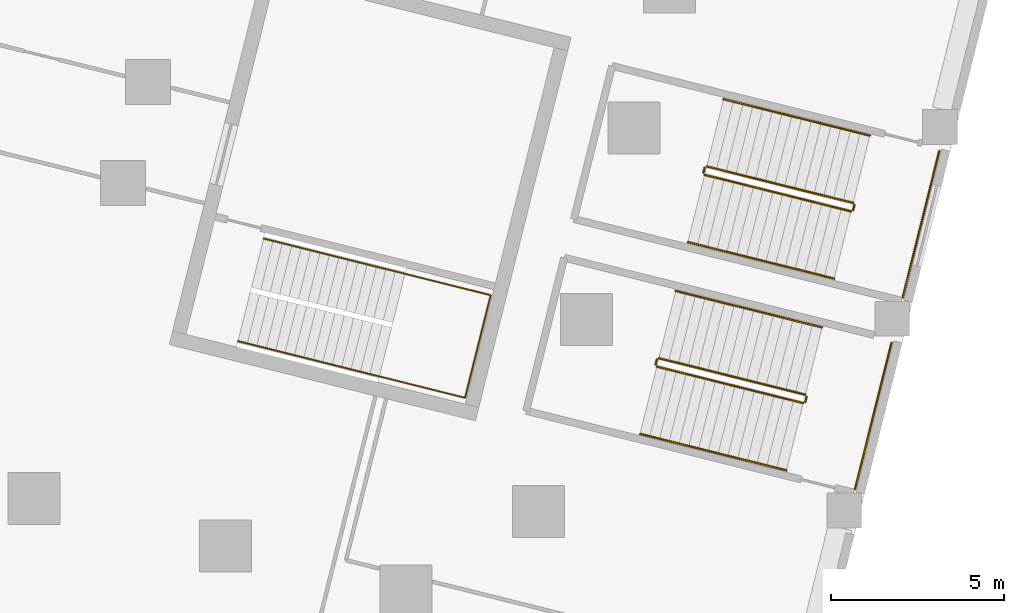
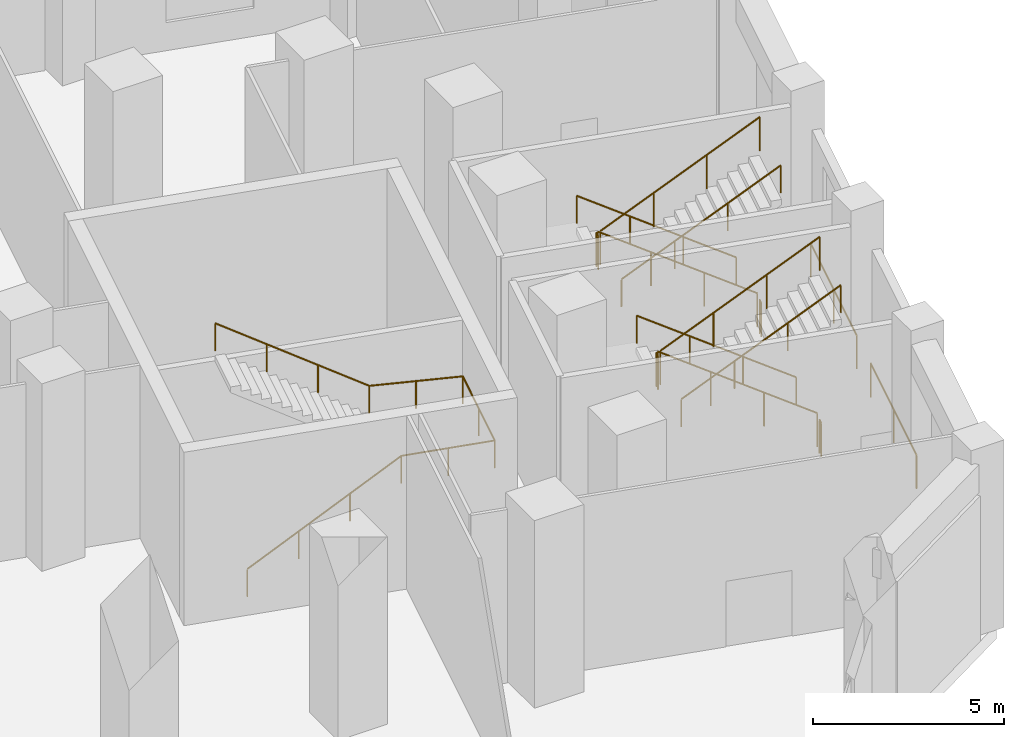
# One storey, part 13 of 15: 15 railings.
"""IFC4 building model written with IfcOpenShell, lengths in metres."""

from ifc_helpers import new_model, si_unit, direction, frame, origin, origin_2d, place, context, subcontext, project, spatial, circle, extrude, material, type_object, element, save


model = new_model("IFC4")

# Units and contexts
model_context = context("Model", 3, precision=1e-05, world=origin(), true_north=direction((0.0, 1.0)))
body_context = subcontext(model_context, "Body", "Model", "MODEL_VIEW")
ifc_project = project(units=[si_unit("LENGTHUNIT", "METRE"), si_unit("AREAUNIT", "SQUARE_METRE"), si_unit("VOLUMEUNIT", "CUBIC_METRE"), si_unit("PLANEANGLEUNIT", "RADIAN"), si_unit("MASSUNIT", "GRAM", prefix="KILO")], contexts=[model_context])

# Site, building, storey
site_placement = place(None, origin())
site = spatial("IfcSite", under=ifc_project, at=site_placement, CompositionType="ELEMENT")
building_placement = place(site_placement, origin())
building = spatial("IfcBuilding", under=site, at=building_placement, Name="Meshkara Civic Tower", CompositionType="ELEMENT")
storey_placement = place(building_placement, frame((0.0, 0.0, 12.60009765625)))
storey = spatial("IfcBuildingStorey", under=building, at=storey_placement, Name="L02", CompositionType="ELEMENT", Elevation=12.60009765625)

# Railings
ifc_material_1 = material(Name="Steel guard", Category="steel")
railing_type_1 = type_object("IfcRailingType", Name="Podium stair guard 1100", PredefinedType="GUARDRAIL", material=ifc_material_1)
railing_1_placement = place(storey_placement, frame((94.407470703125, -14.5361328125, 0.1875)))
element("IfcRailing", 1, at=railing_1_placement, inside=storey, type_object=railing_type_1, Name="L02 PS3 stair guard 1", PredefinedType="GUARDRAIL", context=body_context, shape_type="SweptSolid", body=[
    extrude(circle(Radius=0.02392578125, at=origin_2d()), frame((0.0, 0.0, 1.076171875), z_axis=(-0.81481018265, 0.203184098647, 0.542955420183), x_axis=(-0.241954523554, -0.970287590631, 0.0)), (0.0, 0.0, 1.0), 5.179931640625),
    extrude(circle(Radius=0.02099609375, at=origin_2d()), origin(), (0.0, 0.0, 1.0), 1.052001953125),
    extrude(circle(Radius=0.02099609375, at=origin_2d()), frame((-1.406982421875, 0.350830078125, 0.9375)), (0.0, 0.0, 1.0), 1.052001953125),
    extrude(circle(Radius=0.02099609375, at=origin_2d()), frame((-2.813720703125, 0.70166015625, 1.875)), (0.0, 0.0, 1.0), 1.052001953125),
    extrude(circle(Radius=0.02099609375, at=origin_2d()), frame((-4.220703125, 1.052490234375, 2.8125)), (0.0, 0.0, 1.0), 1.052001953125),
])
railing_2_placement = place(storey_placement, frame((90.1259765625, -13.52001953125, 3.0)))
element("IfcRailing", 2, at=railing_2_placement, inside=storey, type_object=railing_type_1, Name="L02 PS3 stair guard 2", PredefinedType="GUARDRAIL", context=body_context, shape_type="SweptSolid", body=[
    extrude(circle(Radius=0.02392578125, at=origin_2d()), frame((0.0, 0.0, 1.076171875), z_axis=(-0.240622415836, -0.970618799013, 0.0), x_axis=(0.970618799013, -0.240622415836, 0.0)), (0.0, 0.0, 1.0), 0.150146484375),
    extrude(circle(Radius=0.02099609375, at=origin_2d()), origin(), (0.0, 0.0, 1.0), 1.052001953125),
    extrude(circle(Radius=0.02099609375, at=origin_2d()), frame((-0.0361328125, -0.145751953125, 0.0)), (0.0, 0.0, 1.0), 1.052001953125),
])
railing_3_placement = place(storey_placement, frame((90.126220703125, -13.726318359375, 3.1875)))
element("IfcRailing", 3, at=railing_3_placement, inside=storey, type_object=railing_type_1, Name="L02 PS3 stair guard 3", PredefinedType="GUARDRAIL", context=body_context, shape_type="SweptSolid", body=[
    extrude(circle(Radius=0.02392578125, at=origin_2d()), frame((0.0, 0.0, 1.076171875), z_axis=(0.81481798479, -0.203138912219, 0.542960619203), x_axis=(0.241901683224, 0.970300765564, 0.0)), (0.0, 0.0, 1.0), 5.179931640625),
    extrude(circle(Radius=0.02099609375, at=origin_2d()), origin(), (0.0, 0.0, 1.0), 1.052001953125),
    extrude(circle(Radius=0.02099609375, at=origin_2d()), frame((1.406982421875, -0.350830078125, 0.9375)), (0.0, 0.0, 1.0), 1.052001953125),
    extrude(circle(Radius=0.02099609375, at=origin_2d()), frame((2.813720703125, -0.701416015625, 1.875)), (0.0, 0.0, 1.0), 1.052001953125),
    extrude(circle(Radius=0.02099609375, at=origin_2d()), frame((4.220703125, -1.05224609375, 2.8125)), (0.0, 0.0, 1.0), 1.052001953125),
])
railing_4_placement = place(storey_placement, frame((94.44384765625, -14.5966796875, 0.0)))
element("IfcRailing", 4, at=railing_4_placement, inside=storey, type_object=railing_type_1, Name="L02 PS3 stair guard 4", PredefinedType="GUARDRAIL", context=body_context, shape_type="SweptSolid", body=[
    extrude(circle(Radius=0.02392578125, at=origin_2d()), frame((0.0, 0.0, 1.076171875), z_axis=(-0.242535625036, -0.970142500145, 0.0), x_axis=(0.970142500145, -0.242535625036, 0.0)), (0.0, 0.0, 1.0), 0.14990234375),
    extrude(circle(Radius=0.02099609375, at=origin_2d()), origin(), (0.0, 0.0, 1.0), 1.052001953125),
    extrude(circle(Radius=0.02099609375, at=origin_2d()), frame((-0.036376953125, -0.1455078125, 0.0)), (0.0, 0.0, 1.0), 1.052001953125),
])
railing_5_placement = place(storey_placement, frame((96.892578125, -13.04296875, 0.0)))
element("IfcRailing", 5, at=railing_5_placement, inside=storey, type_object=railing_type_1, Name="L02 PS3 stair guard 5", PredefinedType="GUARDRAIL", context=body_context, shape_type="SweptSolid", body=[
    extrude(circle(Radius=0.02392578125, at=origin_2d()), frame((0.0, 0.0, 1.076171875), z_axis=(-0.241954523554, -0.970287590631, 0.0), x_axis=(0.970287590631, -0.241954523554, 0.0)), (0.0, 0.0, 1.0), 4.349853515625),
    extrude(circle(Radius=0.02099609375, at=origin_2d()), origin(), (0.0, 0.0, 1.0), 1.052001953125),
    extrude(circle(Radius=0.02099609375, at=origin_2d()), frame((-0.5263671875, -2.1103515625, 0.0)), (0.0, 0.0, 1.0), 1.052001953125),
    extrude(circle(Radius=0.02099609375, at=origin_2d()), frame((-1.052490234375, -4.220703125, 0.0)), (0.0, 0.0, 1.0), 1.052001953125),
])
railing_6_placement = place(storey_placement, frame((95.786376953125, -9.005126953125, 0.1875)))
element("IfcRailing", 6, at=railing_6_placement, inside=storey, type_object=railing_type_1, Name="L02 PS4 stair guard 1", PredefinedType="GUARDRAIL", context=body_context, shape_type="SweptSolid", body=[
    extrude(circle(Radius=0.02392578125, at=origin_2d()), frame((0.0, 0.0, 1.076171875), z_axis=(-0.81481018265, 0.203184098647, 0.542955420183), x_axis=(-0.241954523554, -0.970287590631, 0.0)), (0.0, 0.0, 1.0), 5.179931640625),
    extrude(circle(Radius=0.02099609375, at=origin_2d()), origin(), (0.0, 0.0, 1.0), 1.052001953125),
    extrude(circle(Radius=0.02099609375, at=origin_2d()), frame((-1.406982421875, 0.350830078125, 0.9375)), (0.0, 0.0, 1.0), 1.052001953125),
    extrude(circle(Radius=0.02099609375, at=origin_2d()), frame((-2.813720703125, 0.70166015625, 1.875)), (0.0, 0.0, 1.0), 1.052001953125),
    extrude(circle(Radius=0.02099609375, at=origin_2d()), frame((-4.220703125, 1.052490234375, 2.8125)), (0.0, 0.0, 1.0), 1.052001953125),
])
railing_7_placement = place(storey_placement, frame((91.505126953125, -7.989013671875, 3.0)))
element("IfcRailing", 7, at=railing_7_placement, inside=storey, type_object=railing_type_1, Name="L02 PS4 stair guard 2", PredefinedType="GUARDRAIL", context=body_context, shape_type="SweptSolid", body=[
    extrude(circle(Radius=0.02392578125, at=origin_2d()), frame((0.0, 0.0, 1.076171875), z_axis=(-0.242153208708, -0.970238024153, 0.0), x_axis=(0.970238024153, -0.242153208708, 0.0)), (0.0, 0.0, 1.0), 0.150146484375),
    extrude(circle(Radius=0.02099609375, at=origin_2d()), origin(), (0.0, 0.0, 1.0), 1.052001953125),
    extrude(circle(Radius=0.02099609375, at=origin_2d()), frame((-0.036376953125, -0.145751953125, 0.0)), (0.0, 0.0, 1.0), 1.052001953125),
])
railing_8_placement = place(storey_placement, frame((91.505126953125, -8.1953125, 3.1875)))
element("IfcRailing", 8, at=railing_8_placement, inside=storey, type_object=railing_type_1, Name="L02 PS4 stair guard 3", PredefinedType="GUARDRAIL", context=body_context, shape_type="SweptSolid", body=[
    extrude(circle(Radius=0.02392578125, at=origin_2d()), frame((0.0, 0.0, 1.076171875), z_axis=(0.814833823606, -0.203131111096, 0.542939767942), x_axis=(0.241888510246, 0.970304049569, 0.0)), (0.0, 0.0, 1.0), 5.18017578125),
    extrude(circle(Radius=0.02099609375, at=origin_2d()), origin(), (0.0, 0.0, 1.0), 1.052001953125),
    extrude(circle(Radius=0.02099609375, at=origin_2d()), frame((1.406982421875, -0.350830078125, 0.9375)), (0.0, 0.0, 1.0), 1.052001953125),
    extrude(circle(Radius=0.02099609375, at=origin_2d()), frame((2.81396484375, -0.701416015625, 1.875)), (0.0, 0.0, 1.0), 1.052001953125),
    extrude(circle(Radius=0.02099609375, at=origin_2d()), frame((4.220947265625, -1.05224609375, 2.8125)), (0.0, 0.0, 1.0), 1.052001953125),
])
railing_9_placement = place(storey_placement, frame((95.82275390625, -9.065673828125, 0.0)))
element("IfcRailing", 9, at=railing_9_placement, inside=storey, type_object=railing_type_1, Name="L02 PS4 stair guard 4", PredefinedType="GUARDRAIL", context=body_context, shape_type="SweptSolid", body=[
    extrude(circle(Radius=0.02392578125, at=origin_2d()), frame((0.0, 0.0, 1.076171875), z_axis=(-0.241002713716, -0.970524441723, 0.0), x_axis=(0.970524441723, -0.241002713716, 0.0)), (0.0, 0.0, 1.0), 0.14990234375),
    extrude(circle(Radius=0.02099609375, at=origin_2d()), origin(), (0.0, 0.0, 1.0), 1.052001953125),
    extrude(circle(Radius=0.02099609375, at=origin_2d()), frame((-0.0361328125, -0.1455078125, 0.0)), (0.0, 0.0, 1.0), 1.052001953125),
])
railing_10_placement = place(storey_placement, frame((98.271484375, -7.511962890625, 0.0)))
element("IfcRailing", 10, at=railing_10_placement, inside=storey, type_object=railing_type_1, Name="L02 PS4 stair guard 5", PredefinedType="GUARDRAIL", context=body_context, shape_type="SweptSolid", body=[
    extrude(circle(Radius=0.02392578125, at=origin_2d()), frame((0.0, 0.0, 1.076171875), z_axis=(-0.241901683224, -0.970300765564, 0.0), x_axis=(0.970300765564, -0.241901683224, 0.0)), (0.0, 0.0, 1.0), 4.349853515625),
    extrude(circle(Radius=0.02099609375, at=origin_2d()), origin(), (0.0, 0.0, 1.0), 1.052001953125),
    extrude(circle(Radius=0.02099609375, at=origin_2d()), frame((-0.526123046875, -2.1103515625, 0.0)), (0.0, 0.0, 1.0), 1.052001953125),
    extrude(circle(Radius=0.02099609375, at=origin_2d()), frame((-1.05224609375, -4.220703125, 0.0)), (0.0, 0.0, 1.0), 1.052001953125),
])
ifc_material_2 = material(Name="Steel handrail", Category="steel")
railing_type_2 = type_object("IfcRailingType", Name="Podium stair handrail 900", PredefinedType="HANDRAIL", material=ifc_material_2)
railing_11_placement = place(storey_placement, frame((94.891357421875, -12.595458984375, 0.1875)))
element("IfcRailing", 11, at=railing_11_placement, inside=storey, type_object=railing_type_2, Name="L02 PS3 stair handrail 1", PredefinedType="HANDRAIL", context=body_context, shape_type="SweptSolid", body=[
    extrude(circle(Radius=0.02392578125, at=origin_2d()), frame((0.0, 0.0, 0.8759765625), z_axis=(-0.814833823606, 0.203131111096, 0.542939767942), x_axis=(-0.241888510246, -0.970304049569, 0.0)), (0.0, 0.0, 1.0), 5.18017578125),
    extrude(circle(Radius=0.02099609375, at=origin_2d()), origin(), (0.0, 0.0, 1.0), 0.851806640625),
    extrude(circle(Radius=0.02099609375, at=origin_2d()), frame((-1.406982421875, 0.350830078125, 0.9375)), (0.0, 0.0, 1.0), 0.851806640625),
    extrude(circle(Radius=0.02099609375, at=origin_2d()), frame((-2.81396484375, 0.701416015625, 1.875)), (0.0, 0.0, 1.0), 0.851806640625),
    extrude(circle(Radius=0.02099609375, at=origin_2d()), frame((-4.220947265625, 1.05224609375, 2.8125)), (0.0, 0.0, 1.0), 0.851806640625),
])
railing_12_placement = place(storey_placement, frame((89.642333984375, -15.6669921875, 3.1875)))
element("IfcRailing", 12, at=railing_12_placement, inside=storey, type_object=railing_type_2, Name="L02 PS3 stair handrail 2", PredefinedType="HANDRAIL", context=body_context, shape_type="SweptSolid", body=[
    extrude(circle(Radius=0.02392578125, at=origin_2d()), frame((0.0, 0.0, 0.8759765625), z_axis=(0.81481798479, -0.203138912219, 0.542960619203), x_axis=(0.241901683224, 0.970300765564, 0.0)), (0.0, 0.0, 1.0), 5.179931640625),
    extrude(circle(Radius=0.02099609375, at=origin_2d()), origin(), (0.0, 0.0, 1.0), 0.851806640625),
    extrude(circle(Radius=0.02099609375, at=origin_2d()), frame((1.406982421875, -0.350830078125, 0.9375)), (0.0, 0.0, 1.0), 0.851806640625),
    extrude(circle(Radius=0.02099609375, at=origin_2d()), frame((2.813720703125, -0.701416015625, 1.875)), (0.0, 0.0, 1.0), 0.851806640625),
    extrude(circle(Radius=0.02099609375, at=origin_2d()), frame((4.220703125, -1.05224609375, 2.8125)), (0.0, 0.0, 1.0), 0.851806640625),
])
railing_13_placement = place(storey_placement, frame((96.270263671875, -7.064453125, 0.1875)))
element("IfcRailing", 13, at=railing_13_placement, inside=storey, type_object=railing_type_2, Name="L02 PS4 stair handrail 1", PredefinedType="HANDRAIL", context=body_context, shape_type="SweptSolid", body=[
    extrude(circle(Radius=0.02392578125, at=origin_2d()), frame((0.0, 0.0, 0.8759765625), z_axis=(-0.81481798479, 0.203138912219, 0.542960619203), x_axis=(-0.241901683224, -0.970300765564, 0.0)), (0.0, 0.0, 1.0), 5.179931640625),
    extrude(circle(Radius=0.02099609375, at=origin_2d()), origin(), (0.0, 0.0, 1.0), 0.851806640625),
    extrude(circle(Radius=0.02099609375, at=origin_2d()), frame((-1.406982421875, 0.350830078125, 0.9375)), (0.0, 0.0, 1.0), 0.851806640625),
    extrude(circle(Radius=0.02099609375, at=origin_2d()), frame((-2.813720703125, 0.701416015625, 1.875)), (0.0, 0.0, 1.0), 0.851806640625),
    extrude(circle(Radius=0.02099609375, at=origin_2d()), frame((-4.220703125, 1.05224609375, 2.8125)), (0.0, 0.0, 1.0), 0.851806640625),
])
railing_14_placement = place(storey_placement, frame((91.021240234375, -10.135986328125, 3.1875)))
element("IfcRailing", 14, at=railing_14_placement, inside=storey, type_object=railing_type_2, Name="L02 PS4 stair handrail 2", PredefinedType="HANDRAIL", context=body_context, shape_type="SweptSolid", body=[
    extrude(circle(Radius=0.02392578125, at=origin_2d()), frame((0.0, 0.0, 0.8759765625), z_axis=(0.814833823606, -0.203131111096, 0.542939767942), x_axis=(0.241888510246, 0.970304049569, 0.0)), (0.0, 0.0, 1.0), 5.18017578125),
    extrude(circle(Radius=0.02099609375, at=origin_2d()), origin(), (0.0, 0.0, 1.0), 0.851806640625),
    extrude(circle(Radius=0.02099609375, at=origin_2d()), frame((1.406982421875, -0.350830078125, 0.9375)), (0.0, 0.0, 1.0), 0.851806640625),
    extrude(circle(Radius=0.02099609375, at=origin_2d()), frame((2.81396484375, -0.701416015625, 1.875)), (0.0, 0.0, 1.0), 0.851806640625),
    extrude(circle(Radius=0.02099609375, at=origin_2d()), frame((4.220947265625, -1.05224609375, 2.8125)), (0.0, 0.0, 1.0), 0.851806640625),
])
ifc_material_3 = material(Name="Steel handrail", Category="steel")
railing_type_3 = type_object("IfcRailingType", Name="Stair handrail 900", PredefinedType="HANDRAIL", material=ifc_material_3)
railing_15_placement = place(storey_placement, frame((78.045166015625, -12.99169921875, 0.1875)))
element("IfcRailing", 15, at=railing_15_placement, inside=storey, type_object=railing_type_3, Name="L02 ESB1 stair handrail 1", PredefinedType="HANDRAIL", context=body_context, shape_type="SweptSolid", body=[
    extrude(circle(Radius=0.02392578125, at=origin_2d()), frame((0.0, 0.0, 0.8759765625), z_axis=(0.806205462459, -0.201116675394, 0.556403482358), x_axis=(0.242043219053, 0.970265468885, 0.0)), (0.0, 0.0, 1.0), 5.0546875),
    extrude(circle(Radius=0.02392578125, at=origin_2d()), frame((4.0751953125, -1.0166015625, 3.6884765625), z_axis=(0.970243788696, -0.242130110678, 0.0), x_axis=(0.242130110678, 0.970243788696, 0.0)), (0.0, 0.0, 1.0), 2.550048828125),
    extrude(circle(Radius=0.02392578125, at=origin_2d()), frame((6.54931640625, -1.634033203125, 3.6884765625), z_axis=(0.242064726708, 0.970260103315, 0.0), x_axis=(-0.970260103315, 0.242064726708, 0.0)), (0.0, 0.0, 1.0), 3.050048828125),
    extrude(circle(Radius=0.02392578125, at=origin_2d()), frame((7.28759765625, 1.3251953125, 3.6884765625), z_axis=(-0.967631527664, 0.241478205394, 0.073331459764), x_axis=(-0.242130110678, -0.970243788696, 0.0)), (0.0, 0.0, 1.0), 2.556884765625),
    extrude(circle(Radius=0.02392578125, at=origin_2d()), frame((4.8134765625, 1.942626953125, 3.8759765625), z_axis=(-0.806205462459, 0.201116675394, 0.556403482358), x_axis=(-0.242043219053, -0.970265468885, 0.0)), (0.0, 0.0, 1.0), 5.0546875),
    extrude(circle(Radius=0.02099609375, at=origin_2d()), origin(), (0.0, 0.0, 1.0), 0.851806640625),
    extrude(circle(Radius=0.02099609375, at=origin_2d()), frame((1.3583984375, -0.3388671875, 0.9375)), (0.0, 0.0, 1.0), 0.851806640625),
    extrude(circle(Radius=0.02099609375, at=origin_2d()), frame((2.716796875, -0.677734375, 1.875)), (0.0, 0.0, 1.0), 0.851806640625),
    extrude(circle(Radius=0.02099609375, at=origin_2d()), frame((4.0751953125, -1.0166015625, 2.8125)), (0.0, 0.0, 1.0), 0.851806640625),
    extrude(circle(Radius=0.02099609375, at=origin_2d()), frame((5.312255859375, -1.3251953125, 2.8125)), (0.0, 0.0, 1.0), 0.851806640625),
    extrude(circle(Radius=0.02099609375, at=origin_2d()), frame((6.54931640625, -1.634033203125, 2.8125)), (0.0, 0.0, 1.0), 0.851806640625),
    extrude(circle(Radius=0.02099609375, at=origin_2d()), frame((6.91845703125, -0.154296875, 2.8125)), (0.0, 0.0, 1.0), 0.851806640625),
    extrude(circle(Radius=0.02099609375, at=origin_2d()), frame((7.28759765625, 1.3251953125, 2.8125)), (0.0, 0.0, 1.0), 0.851806640625),
    extrude(circle(Radius=0.02099609375, at=origin_2d()), frame((6.050537109375, 1.6337890625, 2.90625)), (0.0, 0.0, 1.0), 0.851806640625),
    extrude(circle(Radius=0.02099609375, at=origin_2d()), frame((4.8134765625, 1.942626953125, 3.0)), (0.0, 0.0, 1.0), 0.851806640625),
    extrude(circle(Radius=0.02099609375, at=origin_2d()), frame((3.455078125, 2.281494140625, 3.9375)), (0.0, 0.0, 1.0), 0.851806640625),
    extrude(circle(Radius=0.02099609375, at=origin_2d()), frame((2.0966796875, 2.620361328125, 4.875)), (0.0, 0.0, 1.0), 0.851806640625),
    extrude(circle(Radius=0.02099609375, at=origin_2d()), frame((0.73828125, 2.959228515625, 5.8125)), (0.0, 0.0, 1.0), 0.851806640625),
])

save(model, "model.ifc")
